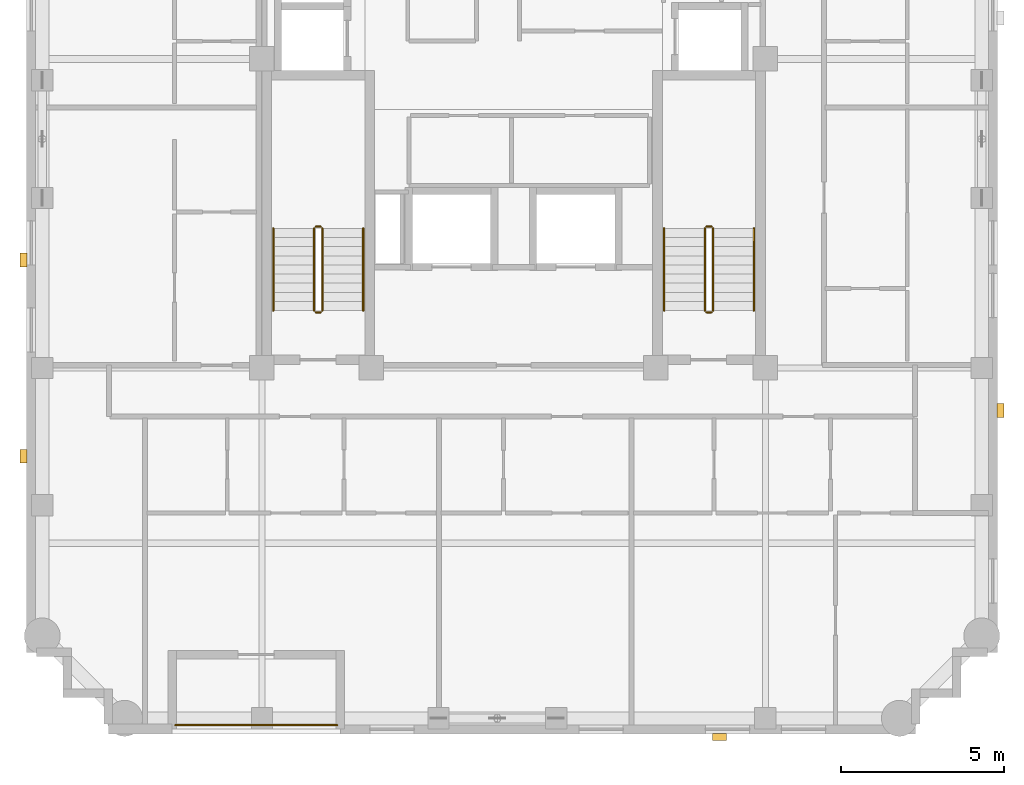
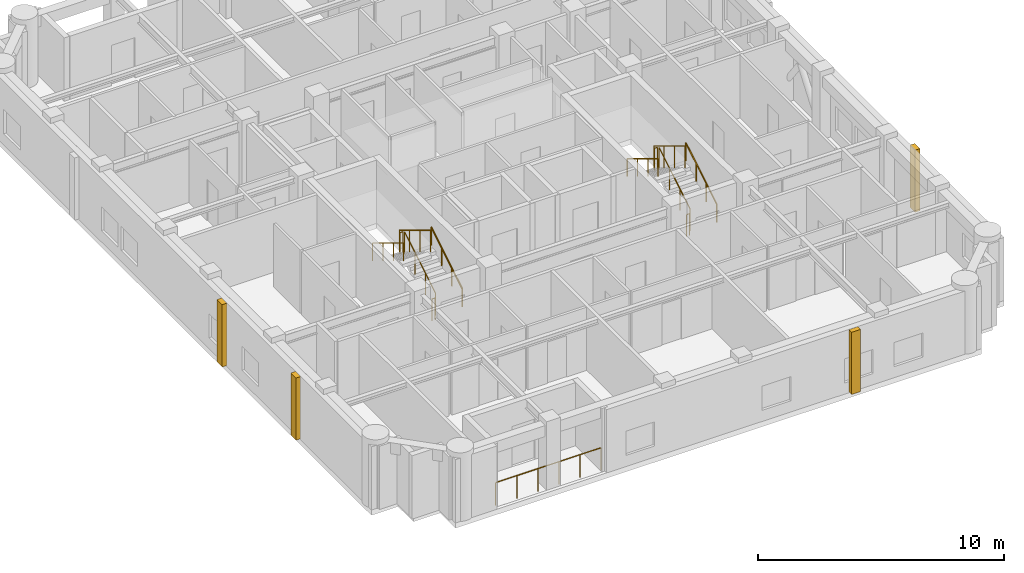
# One storey, part 9 of 10: 13 railings, 4 coverings.
"""IFC4 building model written with IfcOpenShell, lengths in metres."""

from ifc_helpers import new_model, si_unit, derived_unit, direction, frame, origin, origin_2d, place, context, subcontext, project, spatial, rectangle, circle, extrude, material, layer, layer_set, type_object, element, save


model = new_model("IFC4")

# Units and contexts
model_context = context("Model", 3, precision=1e-05, world=origin(), true_north=direction((0.0, 1.0)))
body_context = subcontext(model_context, "Body", "Model", "MODEL_VIEW")
ifc_project = project(units=[si_unit("LENGTHUNIT", "METRE"), si_unit("AREAUNIT", "SQUARE_METRE"), si_unit("VOLUMEUNIT", "CUBIC_METRE"), si_unit("PLANEANGLEUNIT", "RADIAN"), si_unit("MASSUNIT", "GRAM", prefix="KILO"), derived_unit("THERMALTRANSMITTANCEUNIT", [(si_unit("MASSUNIT", "GRAM", prefix="KILO"), 1), (si_unit("TIMEUNIT", "SECOND"), -3), (si_unit("THERMODYNAMICTEMPERATUREUNIT", "KELVIN"), -1)])], contexts=[model_context])

# Site, building, storey
site_placement = place(None, origin())
site = spatial("IfcSite", under=ifc_project, at=site_placement, CompositionType="ELEMENT")
building_placement = place(site_placement, origin())
building = spatial("IfcBuilding", under=site, at=building_placement, Name="Korrvale Station Residences", CompositionType="ELEMENT")
storey_placement = place(building_placement, frame((0.0, 0.0, 234.300048828125)))
storey = spatial("IfcBuildingStorey", under=building, at=storey_placement, Name="L68", CompositionType="ELEMENT", Elevation=234.300048828125)

# Coverings
ifc_material_1 = material(Name="Architectural precast concrete C45/55", Category="concrete")
ifc_layer = layer(ifc_material_1, 0.219970703125, Name="Architectural precast concrete C45/55")
ifc_layer_set = layer_set([ifc_layer], Name="Architectural precast concrete C45/55")
covering_type = type_object("IfcCoveringType", Name="COV-PIER-400", PredefinedType="CLADDING", material=ifc_layer_set)
for number, where, z_axis, x_axis, name in (
    (1, (31.800048828125, 3.7099609375, 0.02490234375), (0.0, 0.0, 1.0), (1.0, 0.0, 0.0), "L68 Architectural Precast Facade Pier 01"),
    (2, (10.510009765625, 12.300048828125, 0.02490234375), (0.0, 0.0, 1.0), (0.0, 1.0, 0.0), "L68 Architectural Precast Facade Pier 02"),
    (3, (10.510009765625, 18.300048828125, 0.02490234375), (0.0, 0.0, 1.0), (0.0, 1.0, 0.0), "L68 Architectural Precast Facade Pier 03"),
    (4, (40.389892578125, 13.699951171875, 0.02490234375), (0.0, 0.0, 1.0), (0.0, 1.0, 0.0), "L68 Architectural Precast Facade Pier 07"),
):
    element("IfcCovering", number, at=place(storey_placement, frame(where, z_axis=z_axis, x_axis=x_axis)), inside=storey, type_object=covering_type, Name=name, PredefinedType="CLADDING", context=body_context, shape_type="SweptSolid", body=[
        extrude(rectangle(XDim=0.419921875, YDim=0.219970703125, at=origin_2d()), origin(), (0.0, 0.0, 1.0), 3.090087890625),
    ])

# Railings
ifc_material_2 = material(Name="Powder-coated aluminium picket loggia guard", Category="aluminium")
railing_type_1 = type_object("IfcRailingType", Name="RLG-BAL-1150", PredefinedType="GUARDRAIL", material=ifc_material_2)
railing_1_placement = place(storey_placement, frame((15.14990234375, 4.070068359375, 0.0)))
element("IfcRailing", 5, at=railing_1_placement, inside=storey, type_object=railing_type_1, Name="L68 Recessed Loggia Guardrail BAL-L68-S1", PredefinedType="GUARDRAIL", context=body_context, shape_type="SweptSolid", body=[
    extrude(circle(Radius=0.02392578125, at=origin_2d()), frame((0.0, 0.0, 1.1259765625), z_axis=(1.0, 0.0, 0.0), x_axis=(0.0, 1.0, 0.0)), (0.0, 0.0, 1.0), 4.9501953125),
    extrude(circle(Radius=0.02099609375, at=origin_2d()), origin(), (0.0, 0.0, 1.0), 1.101806640625),
    extrude(circle(Radius=0.02099609375, at=origin_2d()), frame((0.989990234375, 0.0, 0.0)), (0.0, 0.0, 1.0), 1.101806640625),
    extrude(circle(Radius=0.02099609375, at=origin_2d()), frame((1.97998046875, 0.0, 0.0)), (0.0, 0.0, 1.0), 1.101806640625),
    extrude(circle(Radius=0.02099609375, at=origin_2d()), frame((2.97021484375, 0.0, 0.0)), (0.0, 0.0, 1.0), 1.101806640625),
    extrude(circle(Radius=0.02099609375, at=origin_2d()), frame((3.960205078125, 0.0, 0.0)), (0.0, 0.0, 1.0), 1.101806640625),
    extrude(circle(Radius=0.02099609375, at=origin_2d()), frame((4.9501953125, 0.0, 0.0)), (0.0, 0.0, 1.0), 1.101806640625),
])
ifc_material_3 = material(Name="Brushed stainless-steel continuous stair handrail", Category="steel")
railing_type_2 = type_object("IfcRailingType", Name="RLG-SHND-900", PredefinedType="HANDRAIL", material=ifc_material_3)
railing_2_placement = place(storey_placement, frame((20.89990234375, 16.75, 0.169921875)))
element("IfcRailing", 6, at=railing_2_placement, inside=storey, type_object=railing_type_2, Name="L68 ST-1 stair handrail 1", PredefinedType="HANDRAIL", context=body_context, shape_type="SweptSolid", body=[
    extrude(circle(Radius=0.02392578125, at=origin_2d()), frame((0.0, 0.0, 0.8759765625), z_axis=(0.0, 0.85478489116, 0.518982456201), x_axis=(-1.0, 0.0, 0.0)), (0.0, 0.0, 1.0), 2.9482421875),
    extrude(circle(Radius=0.02099609375, at=origin_2d()), origin(), (0.0, 0.0, 1.0), 0.851806640625),
    extrude(circle(Radius=0.02099609375, at=origin_2d()), frame((0.0, 0.840087890625, 0.510009765625)), (0.0, 0.0, 1.0), 0.851806640625),
    extrude(circle(Radius=0.02099609375, at=origin_2d()), frame((0.0, 1.679931640625, 1.02001953125)), (0.0, 0.0, 1.0), 0.851806640625),
    extrude(circle(Radius=0.02099609375, at=origin_2d()), frame((0.0, 2.52001953125, 1.530029296875)), (0.0, 0.0, 1.0), 0.851806640625),
])
railing_3_placement = place(storey_placement, frame((18.14990234375, 19.27001953125, 1.869873046875)))
element("IfcRailing", 7, at=railing_3_placement, inside=storey, type_object=railing_type_2, Name="L68 ST-1 stair handrail 2", PredefinedType="HANDRAIL", context=body_context, shape_type="SweptSolid", body=[
    extrude(circle(Radius=0.02392578125, at=origin_2d()), frame((0.0, 0.0, 0.8759765625), z_axis=(0.0, -0.85478489116, 0.518982456201), x_axis=(1.0, 0.0, 0.0)), (0.0, 0.0, 1.0), 2.9482421875),
    extrude(circle(Radius=0.02099609375, at=origin_2d()), origin(), (0.0, 0.0, 1.0), 0.851806640625),
    extrude(circle(Radius=0.02099609375, at=origin_2d()), frame((0.0, -0.840087890625, 0.510009765625)), (0.0, 0.0, 1.0), 0.851806640625),
    extrude(circle(Radius=0.02099609375, at=origin_2d()), frame((0.0, -1.679931640625, 1.02001953125)), (0.0, 0.0, 1.0), 0.851806640625),
    extrude(circle(Radius=0.02099609375, at=origin_2d()), frame((0.0, -2.52001953125, 1.530029296875)), (0.0, 0.0, 1.0), 0.851806640625),
])
railing_4_placement = place(storey_placement, frame((32.85009765625, 16.75, 0.169921875)))
element("IfcRailing", 8, at=railing_4_placement, inside=storey, type_object=railing_type_2, Name="L68 ST-2 stair handrail 1", PredefinedType="HANDRAIL", context=body_context, shape_type="SweptSolid", body=[
    extrude(circle(Radius=0.02392578125, at=origin_2d()), frame((0.0, 0.0, 0.8759765625), z_axis=(0.0, 0.85478489116, 0.518982456201), x_axis=(-1.0, 0.0, 0.0)), (0.0, 0.0, 1.0), 2.9482421875),
    extrude(circle(Radius=0.02099609375, at=origin_2d()), origin(), (0.0, 0.0, 1.0), 0.851806640625),
    extrude(circle(Radius=0.02099609375, at=origin_2d()), frame((0.0, 0.840087890625, 0.510009765625)), (0.0, 0.0, 1.0), 0.851806640625),
    extrude(circle(Radius=0.02099609375, at=origin_2d()), frame((0.0, 1.679931640625, 1.02001953125)), (0.0, 0.0, 1.0), 0.851806640625),
    extrude(circle(Radius=0.02099609375, at=origin_2d()), frame((0.0, 2.52001953125, 1.530029296875)), (0.0, 0.0, 1.0), 0.851806640625),
])
railing_5_placement = place(storey_placement, frame((30.10009765625, 19.27001953125, 1.869873046875)))
element("IfcRailing", 9, at=railing_5_placement, inside=storey, type_object=railing_type_2, Name="L68 ST-2 stair handrail 2", PredefinedType="HANDRAIL", context=body_context, shape_type="SweptSolid", body=[
    extrude(circle(Radius=0.02392578125, at=origin_2d()), frame((0.0, 0.0, 0.8759765625), z_axis=(0.0, -0.85478489116, 0.518982456201), x_axis=(1.0, 0.0, 0.0)), (0.0, 0.0, 1.0), 2.9482421875),
    extrude(circle(Radius=0.02099609375, at=origin_2d()), origin(), (0.0, 0.0, 1.0), 0.851806640625),
    extrude(circle(Radius=0.02099609375, at=origin_2d()), frame((0.0, -0.840087890625, 0.510009765625)), (0.0, 0.0, 1.0), 0.851806640625),
    extrude(circle(Radius=0.02099609375, at=origin_2d()), frame((0.0, -1.679931640625, 1.02001953125)), (0.0, 0.0, 1.0), 0.851806640625),
    extrude(circle(Radius=0.02099609375, at=origin_2d()), frame((0.0, -2.52001953125, 1.530029296875)), (0.0, 0.0, 1.0), 0.851806640625),
])
ifc_material_4 = material(Name="Galvanised painted tubular steel stair guard", Category="steel")
railing_type_3 = type_object("IfcRailingType", Name="RLG-STR-1100", PredefinedType="GUARDRAIL", material=ifc_material_4)
railing_6_placement = place(storey_placement, frame((19.64990234375, 16.75, 0.169921875)))
element("IfcRailing", 10, at=railing_6_placement, inside=storey, type_object=railing_type_3, Name="L68 ST-1 stair guard 1", PredefinedType="GUARDRAIL", context=body_context, shape_type="SweptSolid", body=[
    extrude(circle(Radius=0.02392578125, at=origin_2d()), frame((0.0, 0.0, 1.076171875), z_axis=(0.0, 0.85478489116, 0.518982456201), x_axis=(-1.0, 0.0, 0.0)), (0.0, 0.0, 1.0), 2.9482421875),
    extrude(circle(Radius=0.02099609375, at=origin_2d()), origin(), (0.0, 0.0, 1.0), 1.052001953125),
    extrude(circle(Radius=0.02099609375, at=origin_2d()), frame((0.0, 0.840087890625, 0.510009765625)), (0.0, 0.0, 1.0), 1.052001953125),
    extrude(circle(Radius=0.02099609375, at=origin_2d()), frame((0.0, 1.679931640625, 1.02001953125)), (0.0, 0.0, 1.0), 1.052001953125),
    extrude(circle(Radius=0.02099609375, at=origin_2d()), frame((0.0, 2.52001953125, 1.530029296875)), (0.0, 0.0, 1.0), 1.052001953125),
])
railing_7_placement = place(storey_placement, frame((19.60009765625, 19.320068359375, 1.699951171875)))
element("IfcRailing", 11, at=railing_7_placement, inside=storey, type_object=railing_type_3, Name="L68 ST-1 stair guard 2", PredefinedType="GUARDRAIL", context=body_context, shape_type="SweptSolid", body=[
    extrude(circle(Radius=0.02392578125, at=origin_2d()), frame((0.0, 0.0, 1.076171875), z_axis=(-1.0, 0.0, 0.0), x_axis=(0.0, -1.0, 0.0)), (0.0, 0.0, 1.0), 0.150146484375),
    extrude(circle(Radius=0.02099609375, at=origin_2d()), origin(), (0.0, 0.0, 1.0), 1.052001953125),
    extrude(circle(Radius=0.02099609375, at=origin_2d()), frame((-0.150146484375, 0.0, 0.0)), (0.0, 0.0, 1.0), 1.052001953125),
])
railing_8_placement = place(storey_placement, frame((19.39990234375, 19.27001953125, 1.869873046875)))
element("IfcRailing", 12, at=railing_8_placement, inside=storey, type_object=railing_type_3, Name="L68 ST-1 stair guard 3", PredefinedType="GUARDRAIL", context=body_context, shape_type="SweptSolid", body=[
    extrude(circle(Radius=0.02392578125, at=origin_2d()), frame((0.0, 0.0, 1.076171875), z_axis=(0.0, -0.85478489116, 0.518982456201), x_axis=(1.0, 0.0, 0.0)), (0.0, 0.0, 1.0), 2.9482421875),
    extrude(circle(Radius=0.02099609375, at=origin_2d()), origin(), (0.0, 0.0, 1.0), 1.052001953125),
    extrude(circle(Radius=0.02099609375, at=origin_2d()), frame((0.0, -0.840087890625, 0.510009765625)), (0.0, 0.0, 1.0), 1.052001953125),
    extrude(circle(Radius=0.02099609375, at=origin_2d()), frame((0.0, -1.679931640625, 1.02001953125)), (0.0, 0.0, 1.0), 1.052001953125),
    extrude(circle(Radius=0.02099609375, at=origin_2d()), frame((0.0, -2.52001953125, 1.530029296875)), (0.0, 0.0, 1.0), 1.052001953125),
])
railing_9_placement = place(storey_placement, frame((19.60009765625, 16.699951171875, 0.0)))
element("IfcRailing", 13, at=railing_9_placement, inside=storey, type_object=railing_type_3, Name="L68 ST-1 stair guard 4", PredefinedType="GUARDRAIL", context=body_context, shape_type="SweptSolid", body=[
    extrude(circle(Radius=0.02392578125, at=origin_2d()), frame((0.0, 0.0, 1.076171875), z_axis=(-1.0, 0.0, 0.0), x_axis=(0.0, -1.0, 0.0)), (0.0, 0.0, 1.0), 0.150146484375),
    extrude(circle(Radius=0.02099609375, at=origin_2d()), origin(), (0.0, 0.0, 1.0), 1.052001953125),
    extrude(circle(Radius=0.02099609375, at=origin_2d()), frame((-0.150146484375, 0.0, 0.0)), (0.0, 0.0, 1.0), 1.052001953125),
])
railing_10_placement = place(storey_placement, frame((31.60009765625, 16.75, 0.169921875)))
element("IfcRailing", 14, at=railing_10_placement, inside=storey, type_object=railing_type_3, Name="L68 ST-2 stair guard 1", PredefinedType="GUARDRAIL", context=body_context, shape_type="SweptSolid", body=[
    extrude(circle(Radius=0.02392578125, at=origin_2d()), frame((0.0, 0.0, 1.076171875), z_axis=(0.0, 0.85478489116, 0.518982456201), x_axis=(-1.0, 0.0, 0.0)), (0.0, 0.0, 1.0), 2.9482421875),
    extrude(circle(Radius=0.02099609375, at=origin_2d()), origin(), (0.0, 0.0, 1.0), 1.052001953125),
    extrude(circle(Radius=0.02099609375, at=origin_2d()), frame((0.0, 0.840087890625, 0.510009765625)), (0.0, 0.0, 1.0), 1.052001953125),
    extrude(circle(Radius=0.02099609375, at=origin_2d()), frame((0.0, 1.679931640625, 1.02001953125)), (0.0, 0.0, 1.0), 1.052001953125),
    extrude(circle(Radius=0.02099609375, at=origin_2d()), frame((0.0, 2.52001953125, 1.530029296875)), (0.0, 0.0, 1.0), 1.052001953125),
])
railing_11_placement = place(storey_placement, frame((31.550048828125, 19.320068359375, 1.699951171875)))
element("IfcRailing", 15, at=railing_11_placement, inside=storey, type_object=railing_type_3, Name="L68 ST-2 stair guard 2", PredefinedType="GUARDRAIL", context=body_context, shape_type="SweptSolid", body=[
    extrude(circle(Radius=0.02392578125, at=origin_2d()), frame((0.0, 0.0, 1.076171875), z_axis=(-1.0, 0.0, 0.0), x_axis=(0.0, -1.0, 0.0)), (0.0, 0.0, 1.0), 0.150146484375),
    extrude(circle(Radius=0.02099609375, at=origin_2d()), origin(), (0.0, 0.0, 1.0), 1.052001953125),
    extrude(circle(Radius=0.02099609375, at=origin_2d()), frame((-0.150146484375, 0.0, 0.0)), (0.0, 0.0, 1.0), 1.052001953125),
])
railing_12_placement = place(storey_placement, frame((31.35009765625, 19.27001953125, 1.869873046875)))
element("IfcRailing", 16, at=railing_12_placement, inside=storey, type_object=railing_type_3, Name="L68 ST-2 stair guard 3", PredefinedType="GUARDRAIL", context=body_context, shape_type="SweptSolid", body=[
    extrude(circle(Radius=0.02392578125, at=origin_2d()), frame((0.0, 0.0, 1.076171875), z_axis=(0.0, -0.85478489116, 0.518982456201), x_axis=(1.0, 0.0, 0.0)), (0.0, 0.0, 1.0), 2.9482421875),
    extrude(circle(Radius=0.02099609375, at=origin_2d()), origin(), (0.0, 0.0, 1.0), 1.052001953125),
    extrude(circle(Radius=0.02099609375, at=origin_2d()), frame((0.0, -0.840087890625, 0.510009765625)), (0.0, 0.0, 1.0), 1.052001953125),
    extrude(circle(Radius=0.02099609375, at=origin_2d()), frame((0.0, -1.679931640625, 1.02001953125)), (0.0, 0.0, 1.0), 1.052001953125),
    extrude(circle(Radius=0.02099609375, at=origin_2d()), frame((0.0, -2.52001953125, 1.530029296875)), (0.0, 0.0, 1.0), 1.052001953125),
])
railing_13_placement = place(storey_placement, frame((31.550048828125, 16.699951171875, 0.0)))
element("IfcRailing", 17, at=railing_13_placement, inside=storey, type_object=railing_type_3, Name="L68 ST-2 stair guard 4", PredefinedType="GUARDRAIL", context=body_context, shape_type="SweptSolid", body=[
    extrude(circle(Radius=0.02392578125, at=origin_2d()), frame((0.0, 0.0, 1.076171875), z_axis=(-1.0, 0.0, 0.0), x_axis=(0.0, -1.0, 0.0)), (0.0, 0.0, 1.0), 0.150146484375),
    extrude(circle(Radius=0.02099609375, at=origin_2d()), origin(), (0.0, 0.0, 1.0), 1.052001953125),
    extrude(circle(Radius=0.02099609375, at=origin_2d()), frame((-0.150146484375, 0.0, 0.0)), (0.0, 0.0, 1.0), 1.052001953125),
])

save(model, "model.ifc")
